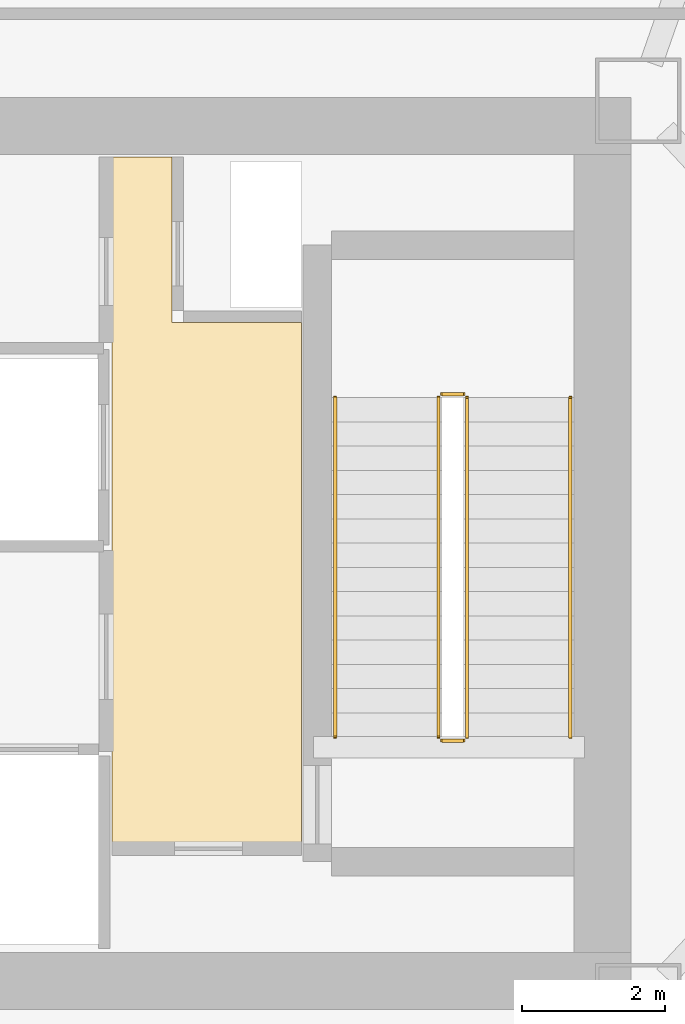
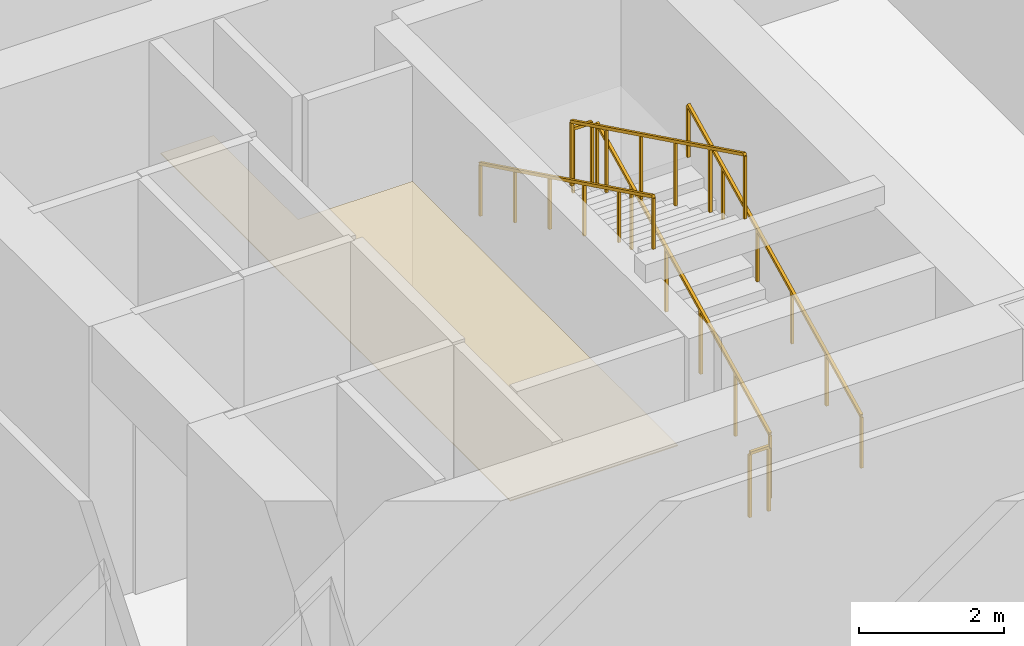
# One storey, part 20 of 20: 6 railings, 1 covering.
"""IFC4 building model written with IfcOpenShell, lengths in metres."""

from ifc_helpers import new_model, si_unit, direction, frame, origin, origin_2d, place, context, subcontext, project, spatial, polyline, rectangle, outline, extrude, material, layer, layer_set, type_object, element, save


model = new_model("IFC4")

# Units and contexts
model_context = context("Model", 3, precision=1e-05, world=origin(), true_north=direction((0.0, 1.0)))
body_context = subcontext(model_context, "Body", "Model", "MODEL_VIEW")
ifc_project = project(units=[si_unit("LENGTHUNIT", "METRE"), si_unit("AREAUNIT", "SQUARE_METRE"), si_unit("VOLUMEUNIT", "CUBIC_METRE"), si_unit("PLANEANGLEUNIT", "RADIAN"), si_unit("MASSUNIT", "GRAM", prefix="KILO")], contexts=[model_context])

# Site, building, storey
site_placement = place(None, origin())
site = spatial("IfcSite", under=ifc_project, at=site_placement, CompositionType="ELEMENT")
building_placement = place(site_placement, origin())
building = spatial("IfcBuilding", under=site, at=building_placement, Name="Tavrogorsk Clinical Tower", CompositionType="ELEMENT")
storey_placement = place(building_placement, frame((0.0, 0.0, 18.39990234375)))
storey = spatial("IfcBuildingStorey", under=building, at=storey_placement, Name="L03", CompositionType="ELEMENT", Elevation=18.39990234375)

# Covering
ifc_material_1 = material(Name="Antibacterial micro-perforated aluminium ceiling", Category="aluminium")
ifc_layer_1 = layer(ifc_material_1, 0.014892578125)
ifc_layer_set_1 = layer_set([ifc_layer_1], Name="Antibacterial micro-perforated aluminium ceiling")
covering_type = type_object("IfcCoveringType", Name="ClinicalCeiling_15", PredefinedType="CEILING", material=ifc_layer_set_1)
covering_placement = place(storey_placement, frame((0.0, 0.0, 2.75)))
element("IfcCovering", 1, at=covering_placement, inside=storey, type_object=covering_type, Name="Core East Firefighting Lift Lobby Acoustic Ceiling", PredefinedType="CEILING", context=body_context, shape_type="SweptSolid", body=[
    extrude(outline(polyline([(17.3798828125, -4.06005859375), (14.719970703125, -4.06005859375), (14.719970703125, 5.56005859375), (15.56005859375, 5.56005859375), (15.56005859375, 3.239990234375), (17.3798828125, 3.239990234375), (17.3798828125, -4.06005859375)])), origin(), (0.0, 0.0, 1.0), 0.01513671875),
])

# Railings
ifc_material_2 = material(Name="Galvanised steel S355 safety stairwell guard", Category="steel")
ifc_layer_2 = layer(ifc_material_2, 0.06005859375)
ifc_layer_set_2 = layer_set([ifc_layer_2], Name="Galvanised steel S355 safety stairwell guard")
railing_type_1 = type_object("IfcRailingType", Name="StairGuard_1150", PredefinedType="GUARDRAIL", material=ifc_layer_set_2)
railing_1_placement = place(storey_placement, frame((19.699951171875, -2.574951171875, 0.166748046875)))
element("IfcRailing", 2, at=railing_1_placement, inside=storey, type_object=railing_type_1, Name="L03 ST-E stair guard 1", PredefinedType="GUARDRAIL", context=body_context, shape_type="SweptSolid", body=[
    extrude(rectangle(XDim=0.048095703125, YDim=0.048095703125, at=origin_2d()), frame((0.0, 0.0, 1.076171875), z_axis=(0.0, 0.897927146867, 0.440144111535), x_axis=(-1.0, 0.0, 0.0)), (0.0, 0.0, 1.0), 5.301025390625),
    extrude(rectangle(XDim=0.0419921875, YDim=0.0419921875, at=origin_2d()), origin(), (0.0, 0.0, 1.0), 1.052001953125),
    extrude(rectangle(XDim=0.0419921875, YDim=0.0419921875, at=origin_2d()), frame((0.0, 0.951904296875, 0.466552734375)), (0.0, 0.0, 1.0), 1.052001953125),
    extrude(rectangle(XDim=0.0419921875, YDim=0.0419921875, at=origin_2d()), frame((0.0, 1.904052734375, 0.933349609375)), (0.0, 0.0, 1.0), 1.052001953125),
    extrude(rectangle(XDim=0.0419921875, YDim=0.0419921875, at=origin_2d()), frame((0.0, 2.85595703125, 1.39990234375)), (0.0, 0.0, 1.0), 1.052001953125),
    extrude(rectangle(XDim=0.0419921875, YDim=0.0419921875, at=origin_2d()), frame((0.0, 3.80810546875, 1.86669921875)), (0.0, 0.0, 1.0), 1.052001953125),
    extrude(rectangle(XDim=0.0419921875, YDim=0.0419921875, at=origin_2d()), frame((0.0, 4.760009765625, 2.333251953125)), (0.0, 0.0, 1.0), 1.052001953125),
])
railing_2_placement = place(storey_placement, frame((19.64990234375, 2.235107421875, 2.5)))
element("IfcRailing", 3, at=railing_2_placement, inside=storey, type_object=railing_type_1, Name="L03 ST-E stair guard 2", PredefinedType="GUARDRAIL", context=body_context, shape_type="SweptSolid", body=[
    extrude(rectangle(XDim=0.048095703125, YDim=0.048095703125, at=origin_2d()), frame((0.0, 0.0, 1.076171875), z_axis=(-1.0, 0.0, 0.0), x_axis=(0.0, -1.0, 0.0)), (0.0, 0.0, 1.0), 0.2998046875),
    extrude(rectangle(XDim=0.0419921875, YDim=0.0419921875, at=origin_2d()), origin(), (0.0, 0.0, 1.0), 1.052001953125),
    extrude(rectangle(XDim=0.0419921875, YDim=0.0419921875, at=origin_2d()), frame((-0.2998046875, 0.0, 0.0)), (0.0, 0.0, 1.0), 1.052001953125),
])
railing_3_placement = place(storey_placement, frame((19.300048828125, 2.18505859375, 2.666748046875)))
element("IfcRailing", 4, at=railing_3_placement, inside=storey, type_object=railing_type_1, Name="L03 ST-E stair guard 3", PredefinedType="GUARDRAIL", context=body_context, shape_type="SweptSolid", body=[
    extrude(rectangle(XDim=0.048095703125, YDim=0.048095703125, at=origin_2d()), frame((0.0, 0.0, 1.076171875), z_axis=(0.0, -0.897927146867, 0.440144111535), x_axis=(1.0, 0.0, 0.0)), (0.0, 0.0, 1.0), 5.301025390625),
    extrude(rectangle(XDim=0.0419921875, YDim=0.0419921875, at=origin_2d()), origin(), (0.0, 0.0, 1.0), 1.052001953125),
    extrude(rectangle(XDim=0.0419921875, YDim=0.0419921875, at=origin_2d()), frame((0.0, -0.951904296875, 0.466552734375)), (0.0, 0.0, 1.0), 1.052001953125),
    extrude(rectangle(XDim=0.0419921875, YDim=0.0419921875, at=origin_2d()), frame((0.0, -1.904052734375, 0.933349609375)), (0.0, 0.0, 1.0), 1.052001953125),
    extrude(rectangle(XDim=0.0419921875, YDim=0.0419921875, at=origin_2d()), frame((0.0, -2.85595703125, 1.39990234375)), (0.0, 0.0, 1.0), 1.052001953125),
    extrude(rectangle(XDim=0.0419921875, YDim=0.0419921875, at=origin_2d()), frame((0.0, -3.80810546875, 1.86669921875)), (0.0, 0.0, 1.0), 1.052001953125),
    extrude(rectangle(XDim=0.0419921875, YDim=0.0419921875, at=origin_2d()), frame((0.0, -4.760009765625, 2.333251953125)), (0.0, 0.0, 1.0), 1.052001953125),
])
railing_4_placement = place(storey_placement, frame((19.64990234375, -2.625, 0.0)))
element("IfcRailing", 5, at=railing_4_placement, inside=storey, type_object=railing_type_1, Name="L03 ST-E stair guard 4", PredefinedType="GUARDRAIL", context=body_context, shape_type="SweptSolid", body=[
    extrude(rectangle(XDim=0.048095703125, YDim=0.048095703125, at=origin_2d()), frame((0.0, 0.0, 1.076171875), z_axis=(-1.0, 0.0, 0.0), x_axis=(0.0, -1.0, 0.0)), (0.0, 0.0, 1.0), 0.2998046875),
    extrude(rectangle(XDim=0.0419921875, YDim=0.0419921875, at=origin_2d()), origin(), (0.0, 0.0, 1.0), 1.052001953125),
    extrude(rectangle(XDim=0.0419921875, YDim=0.0419921875, at=origin_2d()), frame((-0.2998046875, 0.0, 0.0)), (0.0, 0.0, 1.0), 1.052001953125),
])
ifc_material_3 = material(Name="Stainless steel AISI 304 tubular handrail", Category="steel")
ifc_layer_3 = layer(ifc_material_3, 0.050048828125)
ifc_layer_set_3 = layer_set([ifc_layer_3], Name="Stainless steel AISI 304 tubular handrail")
railing_type_2 = type_object("IfcRailingType", Name="StairHandrail_920", PredefinedType="HANDRAIL", material=ifc_layer_set_3)
railing_5_placement = place(storey_placement, frame((21.14990234375, -2.574951171875, 0.166748046875)))
element("IfcRailing", 6, at=railing_5_placement, inside=storey, type_object=railing_type_2, Name="L03 ST-E stair handrail 1", PredefinedType="HANDRAIL", context=body_context, shape_type="SweptSolid", body=[
    extrude(rectangle(XDim=0.048095703125, YDim=0.048095703125, at=origin_2d()), frame((0.0, 0.0, 0.8759765625), z_axis=(0.0, 0.897927146867, 0.440144111535), x_axis=(-1.0, 0.0, 0.0)), (0.0, 0.0, 1.0), 5.301025390625),
    extrude(rectangle(XDim=0.0419921875, YDim=0.0419921875, at=origin_2d()), origin(), (0.0, 0.0, 1.0), 0.851806640625),
    extrude(rectangle(XDim=0.0419921875, YDim=0.0419921875, at=origin_2d()), frame((0.0, 0.951904296875, 0.466552734375)), (0.0, 0.0, 1.0), 0.851806640625),
    extrude(rectangle(XDim=0.0419921875, YDim=0.0419921875, at=origin_2d()), frame((0.0, 1.904052734375, 0.933349609375)), (0.0, 0.0, 1.0), 0.851806640625),
    extrude(rectangle(XDim=0.0419921875, YDim=0.0419921875, at=origin_2d()), frame((0.0, 2.85595703125, 1.39990234375)), (0.0, 0.0, 1.0), 0.851806640625),
    extrude(rectangle(XDim=0.0419921875, YDim=0.0419921875, at=origin_2d()), frame((0.0, 3.80810546875, 1.86669921875)), (0.0, 0.0, 1.0), 0.851806640625),
    extrude(rectangle(XDim=0.0419921875, YDim=0.0419921875, at=origin_2d()), frame((0.0, 4.760009765625, 2.333251953125)), (0.0, 0.0, 1.0), 0.851806640625),
])
railing_6_placement = place(storey_placement, frame((17.85009765625, 2.18505859375, 2.666748046875)))
element("IfcRailing", 7, at=railing_6_placement, inside=storey, type_object=railing_type_2, Name="L03 ST-E stair handrail 2", PredefinedType="HANDRAIL", context=body_context, shape_type="SweptSolid", body=[
    extrude(rectangle(XDim=0.048095703125, YDim=0.048095703125, at=origin_2d()), frame((0.0, 0.0, 0.8759765625), z_axis=(0.0, -0.897927146867, 0.440144111535), x_axis=(1.0, 0.0, 0.0)), (0.0, 0.0, 1.0), 5.301025390625),
    extrude(rectangle(XDim=0.0419921875, YDim=0.0419921875, at=origin_2d()), origin(), (0.0, 0.0, 1.0), 0.851806640625),
    extrude(rectangle(XDim=0.0419921875, YDim=0.0419921875, at=origin_2d()), frame((0.0, -0.951904296875, 0.466552734375)), (0.0, 0.0, 1.0), 0.851806640625),
    extrude(rectangle(XDim=0.0419921875, YDim=0.0419921875, at=origin_2d()), frame((0.0, -1.904052734375, 0.933349609375)), (0.0, 0.0, 1.0), 0.851806640625),
    extrude(rectangle(XDim=0.0419921875, YDim=0.0419921875, at=origin_2d()), frame((0.0, -2.85595703125, 1.39990234375)), (0.0, 0.0, 1.0), 0.851806640625),
    extrude(rectangle(XDim=0.0419921875, YDim=0.0419921875, at=origin_2d()), frame((0.0, -3.80810546875, 1.86669921875)), (0.0, 0.0, 1.0), 0.851806640625),
    extrude(rectangle(XDim=0.0419921875, YDim=0.0419921875, at=origin_2d()), frame((0.0, -4.760009765625, 2.333251953125)), (0.0, 0.0, 1.0), 0.851806640625),
])

save(model, "model.ifc")
